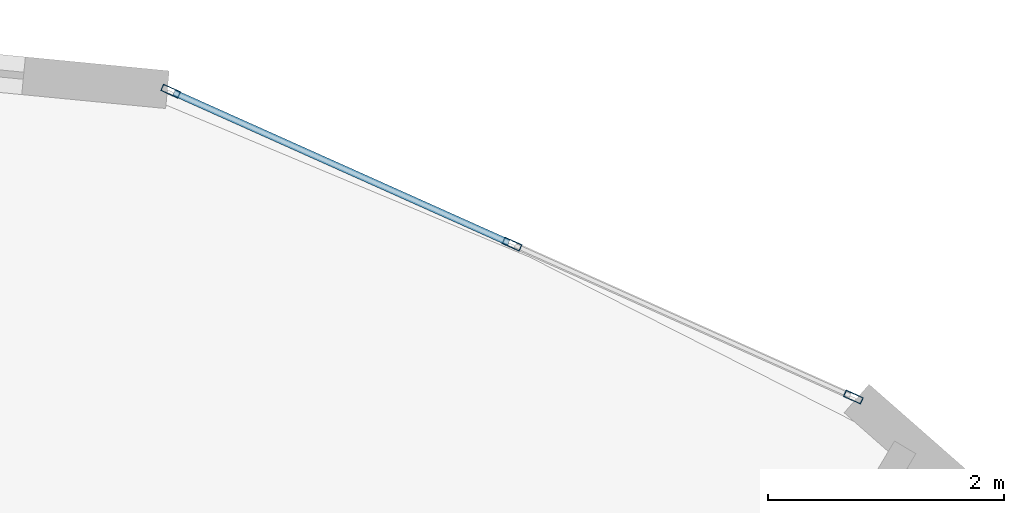
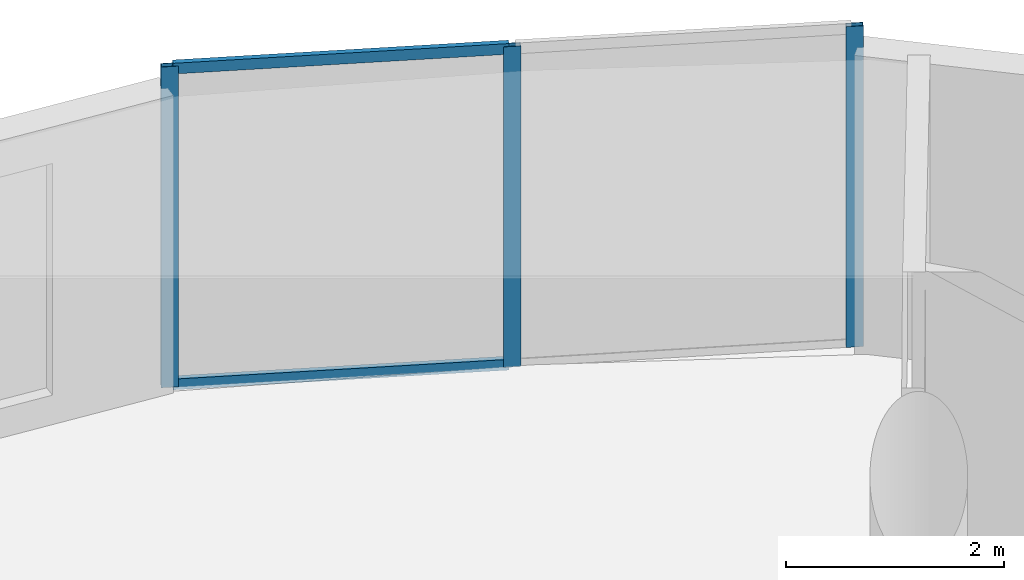
# One storey, part 14 of 21: 5 members, 1 element without a shape of its own.
"""IFC4 building model written with IfcOpenShell, lengths in metres."""

from ifc_helpers import new_model, si_unit, direction, frame, origin, origin_2d, place, context, subcontext, project, spatial, hollow_rectangle, extrude, source, transform, mapped, material, layer, layer_set, material_profile, profile_set, type_object, element, aggregate, save


model = new_model("IFC4")

# Units and contexts
model_context = context("Model", 3, precision=1e-05, world=origin(), true_north=direction((0.0, 1.0)))
body_context = subcontext(model_context, "Body", "Model", "MODEL_VIEW")
ifc_project = project(units=[si_unit("LENGTHUNIT", "METRE"), si_unit("AREAUNIT", "SQUARE_METRE"), si_unit("VOLUMEUNIT", "CUBIC_METRE"), si_unit("PLANEANGLEUNIT", "RADIAN"), si_unit("MASSUNIT", "GRAM", prefix="KILO")], contexts=[model_context])

# Site, building, storey
site_placement = place(None, origin())
site = spatial("IfcSite", under=ifc_project, at=site_placement, CompositionType="ELEMENT")
building_placement = place(site_placement, origin())
building = spatial("IfcBuilding", under=site, at=building_placement, Name="Solvirekh Grand Hotel", CompositionType="ELEMENT")
storey_placement = place(building_placement, frame((0.0, 0.0, 205.60009765625)))
storey = spatial("IfcBuildingStorey", under=building, at=storey_placement, Name="L53", CompositionType="ELEMENT", Elevation=205.60009765625)

# Curtain wall, members
ifc_material = material(Name="Anodized Bronze Aluminium 6063-T6", Category="aluminium")
ifc_layer = layer(ifc_material, 0.159912109375)
ifc_layer_set = layer_set([ifc_layer], Name="Anodized Bronze Aluminium 6063-T6")
curtain_wall_type = type_object("IfcCurtainWallType", Name="CW_Sys4_HighZoneFlushBronzeCW", PredefinedType="NOTDEFINED", material=ifc_layer_set)
curtain_wall_placement = place(storey_placement, origin())
curtain_wall = element("IfcCurtainWall", 1, at=curtain_wall_placement, inside=storey, type_object=curtain_wall_type, Name="L53 unitised bronze-glass curtain wall CW-L53-C08", PredefinedType="NOTDEFINED")
ifc_material_profile_1 = material_profile(ifc_material, hollow_rectangle(XDim=0.06005859375, YDim=0.159912109375, WallThickness=0.0048828125, at=origin_2d()), Name="ALU RHS 160X60X5")
ifc_profile_set_1 = profile_set([ifc_material_profile_1], Name="Anodized Bronze Aluminium 6063-T6")
member_type_1 = type_object("IfcMemberType", Name="CWMullion_Sys4", PredefinedType="MULLION", material=ifc_profile_set_1)
shared_shape_1 = source(origin(), body_context, "Body", "SweptSolid", [
    extrude(hollow_rectangle(XDim=0.06005859375, YDim=0.159912109375, WallThickness=0.0048828125, at=origin_2d()), origin(), (0.0, 0.0, 1.0), 3.599853515625),
])
member_1_placement = place(storey_placement, frame((9.739501953125, 18.05322265625, 0.0), z_axis=(0.0, 0.0, 1.0), x_axis=(-0.40893906676, -0.912561690888, 0.0)))
member_1 = element("IfcMember", 2, at=member_1_placement, type_object=member_type_1, Name="U04 mullion 1", PredefinedType="MULLION", context=body_context, shape_type="MappedRepresentation", body=[
    mapped(shared_shape_1, transform((0.0, 0.0, 0.0), x_axis=(1.0, 0.0, 0.0), y_axis=(0.0, 1.0, 0.0), z_axis=(0.0, 0.0, 1.0), scale=1.0)),
])
member_2_placement = place(storey_placement, frame((6.8515625, 19.347412109375, 0.0), z_axis=(0.0, 0.0, 1.0), x_axis=(-0.40893906676, -0.912561690888, 0.0)))
member_2 = element("IfcMember", 3, at=member_2_placement, type_object=member_type_1, Name="U04 mullion 2", PredefinedType="MULLION", context=body_context, shape_type="MappedRepresentation", body=[
    mapped(shared_shape_1, transform((0.0, 0.0, 0.0), x_axis=(1.0, 0.0, 0.0), y_axis=(0.0, 1.0, 0.0), z_axis=(0.0, 0.0, 1.0), scale=1.0)),
])
member_3_placement = place(storey_placement, frame((3.96337890625, 20.641845703125, 0.0), z_axis=(0.0, 0.0, 1.0), x_axis=(-0.40893906676, -0.912561690888, 0.0)))
member_3 = element("IfcMember", 4, at=member_3_placement, type_object=member_type_1, Name="U04 mullion 3", PredefinedType="MULLION", context=body_context, shape_type="MappedRepresentation", body=[
    mapped(shared_shape_1, transform((0.0, 0.0, 0.0), x_axis=(1.0, 0.0, 0.0), y_axis=(0.0, 1.0, 0.0), z_axis=(0.0, 0.0, 1.0), scale=1.0)),
])
ifc_material_profile_2 = material_profile(ifc_material, hollow_rectangle(XDim=0.054931640625, YDim=0.1201171875, WallThickness=0.00390625, at=origin_2d()), Name="ALU RHS 120X55X4")
ifc_profile_set_2 = profile_set([ifc_material_profile_2], Name="Anodized Bronze Aluminium 6063-T6")
member_type_2 = type_object("IfcMemberType", Name="CWTransom_Sys4", PredefinedType="USERDEFINED", material=ifc_profile_set_2)
shared_shape_2 = source(origin(), body_context, "Body", "SweptSolid", [
    extrude(hollow_rectangle(XDim=0.054931640625, YDim=0.1201171875, WallThickness=0.00390625, at=origin_2d()), origin(), (0.0, 0.0, 1.0), 3.10498046875),
])
member_4_placement = place(storey_placement, frame((6.82421875, 19.35986328125, 0.02734375), z_axis=(-0.912588249661, 0.408879794782, 0.0), x_axis=(-0.408879794782, -0.912588249661, 0.0)))
member_4 = element("IfcMember", 5, at=member_4_placement, type_object=member_type_2, Name="U04 transom 2.1", ObjectType="TRANSOM", PredefinedType="USERDEFINED", context=body_context, shape_type="MappedRepresentation", body=[
    mapped(shared_shape_2, transform((0.0, 0.0, 0.0), x_axis=(1.0, 0.0, 0.0), y_axis=(0.0, 1.0, 0.0), z_axis=(0.0, 0.0, 1.0), scale=1.0)),
])
member_5_placement = place(storey_placement, frame((6.82421875, 19.35986328125, 3.572509765625), z_axis=(-0.912588249661, 0.408879794782, 0.0), x_axis=(-0.408879794782, -0.912588249661, 0.0)))
member_5 = element("IfcMember", 6, at=member_5_placement, type_object=member_type_2, Name="U04 transom 2.2", ObjectType="TRANSOM", PredefinedType="USERDEFINED", context=body_context, shape_type="MappedRepresentation", body=[
    mapped(shared_shape_2, transform((0.0, 0.0, 0.0), x_axis=(1.0, 0.0, 0.0), y_axis=(0.0, 1.0, 0.0), z_axis=(0.0, 0.0, 1.0), scale=1.0)),
])
aggregate(curtain_wall, [member_1, member_2, member_3, member_4, member_5])

save(model, "model.ifc")
